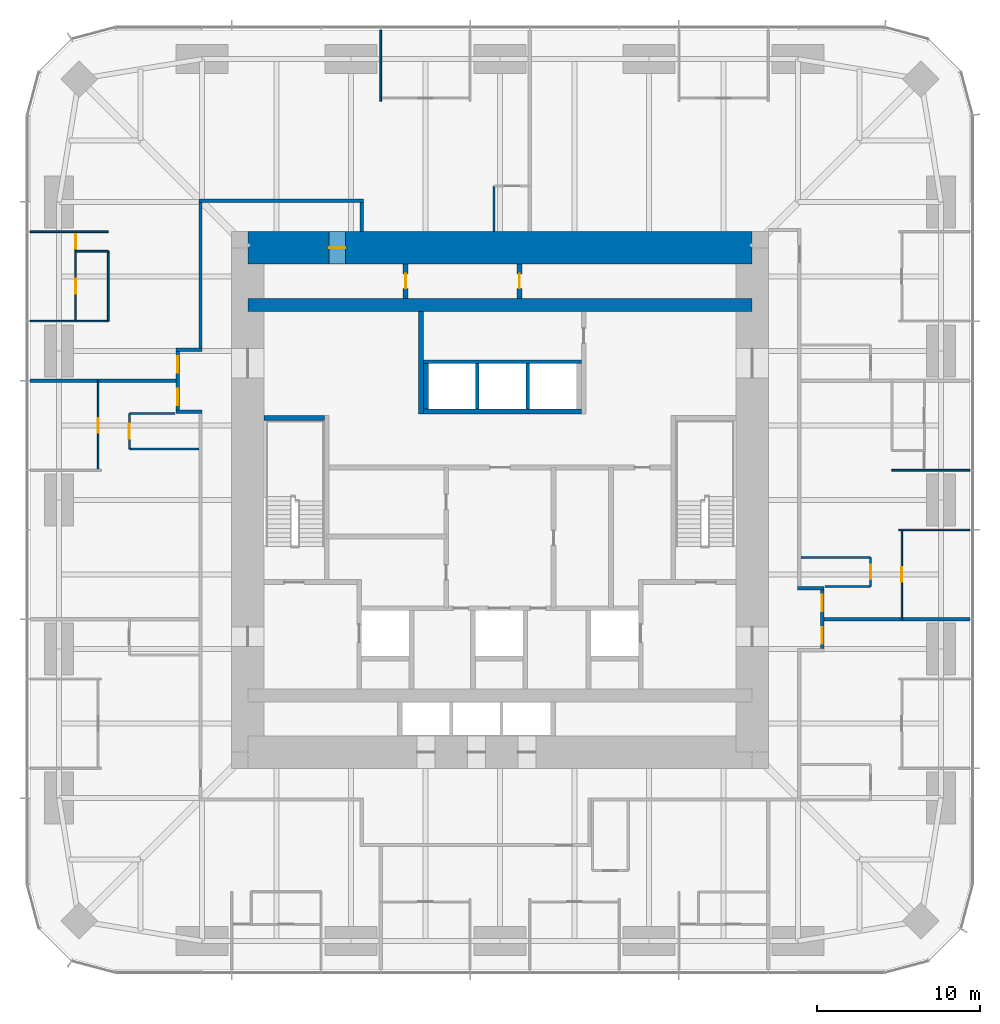
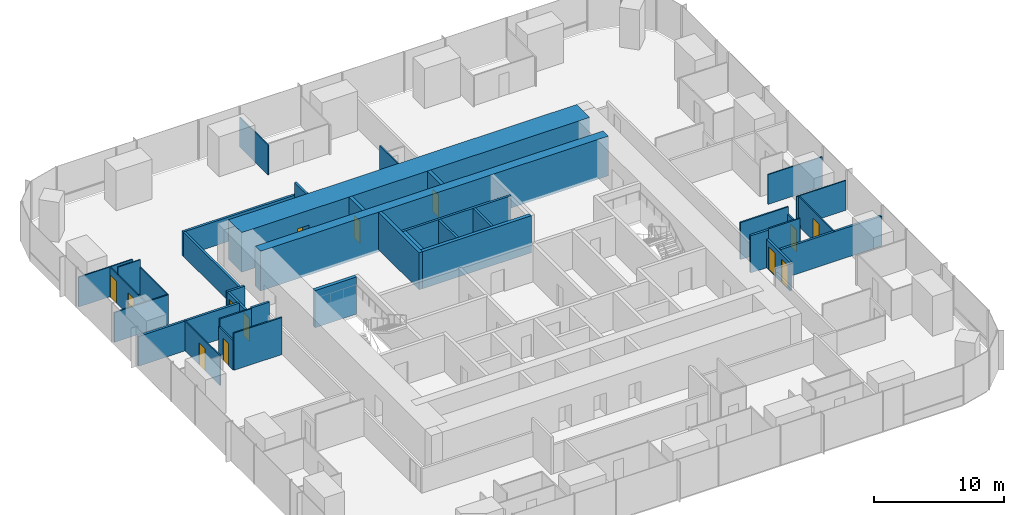
# One storey, part 11 of 13: 38 walls, 13 doors, 13 openings.
"""IFC4 building model written with IfcOpenShell, lengths in metres."""

from ifc_helpers import new_model, si_unit, direction, frame, frame_2d, origin, place, context, subcontext, project, spatial, rectangle, extrude, material, layer, layer_set, type_object, element, fill, save


model = new_model("IFC4")

# Units and contexts
model_context = context("Model", 3, precision=1e-05, world=origin(), true_north=direction((0.0, 1.0)))
body_context = subcontext(model_context, "Body", "Model", "MODEL_VIEW")
ifc_project = project(units=[si_unit("LENGTHUNIT", "METRE"), si_unit("AREAUNIT", "SQUARE_METRE"), si_unit("VOLUMEUNIT", "CUBIC_METRE"), si_unit("PLANEANGLEUNIT", "RADIAN"), si_unit("MASSUNIT", "GRAM", prefix="KILO")], contexts=[model_context])

# Site, building, storey
site_placement = place(None, origin())
site = spatial("IfcSite", under=ifc_project, at=site_placement, CompositionType="ELEMENT")
building_placement = place(site_placement, origin())
building = spatial("IfcBuilding", under=site, at=building_placement, Name="Khuree Lantern Residences", CompositionType="ELEMENT")
storey_placement = place(building_placement, frame((0.0, 0.0, 126.0)))
storey = spatial("IfcBuildingStorey", under=building, at=storey_placement, Name="L31", CompositionType="ELEMENT", Elevation=126.0)

# Wall, opening, door
ifc_material_1 = material(Name="Moisture-resistant gypsum board on steel studs", Category="steel")
ifc_layer_1 = layer(ifc_material_1, 0.125)
ifc_layer_set_1 = layer_set([ifc_layer_1], Name="BATHROOM WALL BTW125")
wall_type_1 = type_object("IfcWallType", Name="BATHROOM WALL BTW125", PredefinedType="PARTITIONING", material=ifc_layer_set_1)
wall_1_placement = place(storey_placement, frame((22.77978515625, -5.327880859375, 0.0), z_axis=(0.0, 0.0, 1.0), x_axis=(0.0, 1.0, 0.0)))
wall_1 = element("IfcWall", 1, at=wall_1_placement, inside=storey, type_object=wall_type_1, Name="L31 BATHROOM WALL 01", PredefinedType="PARTITIONING", context=body_context, shape_type="SweptSolid", body=[
    extrude(rectangle(XDim=1.7998046875, YDim=0.125, at=frame_2d((0.89990234375, 0.0))), origin(), (0.0, 0.0, 1.0), 2.81005859375),
])
opening_1_placement = place(wall_1_placement, frame((0.449951171875, 0.0, 0.0)))
opening_1 = element("IfcOpeningElement", 2, at=opening_1_placement, cuts=wall_1, Name="Opening 31-027", PredefinedType="OPENING", context=body_context, shape_type="SweptSolid", body=[
    extrude(rectangle(XDim=0.89990234375, YDim=2.10009765625, at=frame_2d((0.449951171875, 1.050048828125))), frame((0.0, 0.072509765625, 0.0), z_axis=(0.0, -1.0, 0.0), x_axis=(1.0, 0.0, 0.0)), (0.0, 0.0, 1.0), 0.14501953125),
])
ifc_material_2 = material(Name="Timber door leaf in hardwood frame", Category="wood")
door_type_1 = type_object("IfcDoorType", Name="BATHROOM DOOR 900X2100", OperationType="SINGLE_SWING_LEFT", PredefinedType="DOOR", material=ifc_material_2)
door_1_placement = place(opening_1_placement, origin())
door_1 = element("IfcDoor", 3, at=door_1_placement, inside=storey, type_object=door_type_1, Name="Bathroom door 31-027", OperationType="SINGLE_SWING_LEFT", OverallHeight=2.10009765625, OverallWidth=0.89990234375, PredefinedType="DOOR", context=body_context, shape_type="SweptSolid", body=[
    extrude(rectangle(XDim=0.89990234375, YDim=2.10009765625, at=frame_2d((0.449951171875, 1.050048828125))), frame((0.0, 0.02490234375, 0.0), z_axis=(0.0, -1.0, 0.0), x_axis=(1.0, 0.0, 0.0)), (0.0, 0.0, 1.0), 0.050048828125),
])
fill(opening_1, door_1)

# Walls
wall_2_placement = place(storey_placement, frame((19.969970703125, -5.327880859375, 0.0), z_axis=(0.0, 0.0, 1.0), x_axis=(1.0, 0.0, 0.0)))
element("IfcWall", 4, at=wall_2_placement, inside=storey, type_object=wall_type_1, Name="L31 BATHROOM WALL 01", PredefinedType="PARTITIONING", context=body_context, shape_type="SweptSolid", body=[
    extrude(rectangle(XDim=2.809814453125, YDim=0.125, at=frame_2d((1.40478515625, 0.0))), origin(), (0.0, 0.0, 1.0), 3.5),
])
wall_3_placement = place(storey_placement, frame((18.5, -3.528076171875, 0.0), z_axis=(0.0, 0.0, 1.0), x_axis=(1.0, 0.0, 0.0)))
element("IfcWall", 5, at=wall_3_placement, inside=storey, type_object=wall_type_1, Name="L31 BATHROOM WALL 01", PredefinedType="PARTITIONING", context=body_context, shape_type="SweptSolid", body=[
    extrude(rectangle(XDim=4.27978515625, YDim=0.125, at=frame_2d((2.139892578125, 0.0))), origin(), (0.0, 0.0, 1.0), 3.5),
])
wall_4_placement = place(storey_placement, frame((-0.367919921875, 16.5, 0.0), z_axis=(0.0, 0.0, 1.0), x_axis=(0.0, 1.0, 0.0)))
element("IfcWall", 6, at=wall_4_placement, inside=storey, type_object=wall_type_1, Name="L31 BATHROOM WALL 03", PredefinedType="PARTITIONING", context=body_context, shape_type="SweptSolid", body=[
    extrude(rectangle(XDim=2.800048828125, YDim=0.125, at=frame_2d((1.39990234375, 0.0))), origin(), (0.0, 0.0, 1.0), 3.5),
])

# Wall, opening, door
wall_5_placement = place(storey_placement, frame((-22.77978515625, 5.327880859375, 0.0), z_axis=(0.0, 0.0, 1.0), x_axis=(0.0, -1.0, 0.0)))
wall_5 = element("IfcWall", 7, at=wall_5_placement, inside=storey, type_object=wall_type_1, Name="L31 BATHROOM WALL 04", PredefinedType="PARTITIONING", context=body_context, shape_type="SweptSolid", body=[
    extrude(rectangle(XDim=2.199951171875, YDim=0.125, at=frame_2d((1.10009765625, 0.0))), origin(), (0.0, 0.0, 1.0), 2.81005859375),
])
opening_2_placement = place(wall_5_placement, frame((0.64990234375, 0.0, 0.0)))
opening_2 = element("IfcOpeningElement", 8, at=opening_2_placement, cuts=wall_5, Name="Opening 31-039", PredefinedType="OPENING", context=body_context, shape_type="SweptSolid", body=[
    extrude(rectangle(XDim=0.89990234375, YDim=2.10009765625, at=frame_2d((0.449951171875, 1.050048828125))), frame((0.0, 0.072509765625, 0.0), z_axis=(0.0, -1.0, 0.0), x_axis=(1.0, 0.0, 0.0)), (0.0, 0.0, 1.0), 0.14501953125),
])
door_2_placement = place(opening_2_placement, origin())
door_2 = element("IfcDoor", 9, at=door_2_placement, inside=storey, type_object=door_type_1, Name="Bathroom door 31-039", OperationType="SINGLE_SWING_LEFT", OverallHeight=2.10009765625, OverallWidth=0.89990234375, PredefinedType="DOOR", context=body_context, shape_type="SweptSolid", body=[
    extrude(rectangle(XDim=0.89990234375, YDim=2.10009765625, at=frame_2d((0.449951171875, 1.050048828125))), frame((0.0, 0.02490234375, 0.0), z_axis=(0.0, -1.0, 0.0), x_axis=(1.0, 0.0, 0.0)), (0.0, 0.0, 1.0), 0.050048828125),
])
fill(opening_2, door_2)

# Walls
wall_6_placement = place(storey_placement, frame((-19.969970703125, 5.327880859375, 0.0), z_axis=(0.0, 0.0, 1.0), x_axis=(-1.0, 0.0, 0.0)))
element("IfcWall", 10, at=wall_6_placement, inside=storey, type_object=wall_type_1, Name="L31 BATHROOM WALL 04", PredefinedType="PARTITIONING", context=body_context, shape_type="SweptSolid", body=[
    extrude(rectangle(XDim=2.809814453125, YDim=0.125, at=frame_2d((1.40478515625, 0.0))), origin(), (0.0, 0.0, 1.0), 3.5),
])
wall_7_placement = place(storey_placement, frame((-18.5, 3.1279296875, 0.0), z_axis=(0.0, 0.0, 1.0), x_axis=(-1.0, 0.0, 0.0)))
element("IfcWall", 11, at=wall_7_placement, inside=storey, type_object=wall_type_1, Name="L31 BATHROOM WALL 04", PredefinedType="PARTITIONING", context=body_context, shape_type="SweptSolid", body=[
    extrude(rectangle(XDim=4.27978515625, YDim=0.125, at=frame_2d((2.139892578125, 0.0))), origin(), (0.0, 0.0, 1.0), 3.5),
])
ifc_material_3 = material(Name="Dense concrete blockwork", Category="masonry")
ifc_layer_2 = layer(ifc_material_3, 0.300048828125)
ifc_layer_set_2 = layer_set([ifc_layer_2], Name="CORE PARTITION WALL CPW300 EI 120")
wall_type_2 = type_object("IfcWallType", Name="CORE PARTITION WALL CPW300 EI 120", PredefinedType="PARTITIONING", material=ifc_layer_set_2)
wall_8_placement = place(storey_placement, frame((-4.699951171875, 5.449951171875, 0.0), z_axis=(0.0, 0.0, 1.0), x_axis=(1.0, 0.0, 0.0)))
element("IfcWall", 12, at=wall_8_placement, inside=storey, type_object=wall_type_2, Name="L31 CORE WALL PHS", PredefinedType="PARTITIONING", context=body_context, shape_type="SweptSolid", body=[
    extrude(rectangle(XDim=9.699951171875, YDim=0.300048828125, at=frame_2d((4.85009765625, 0.0))), origin(), (0.0, 0.0, 1.0), 3.5),
])
wall_9_placement = place(storey_placement, frame((-4.550048828125, 5.60009765625, 0.0), z_axis=(0.0, 0.0, 1.0), x_axis=(0.0, 1.0, 0.0)))
element("IfcWall", 13, at=wall_9_placement, inside=storey, type_object=wall_type_2, Name="L31 CORE WALL PHW", PredefinedType="PARTITIONING", context=body_context, shape_type="SweptSolid", body=[
    extrude(rectangle(XDim=2.7998046875, YDim=0.300048828125, at=frame_2d((1.39990234375, 0.0))), origin(), (0.0, 0.0, 1.0), 3.5),
])
wall_10_placement = place(storey_placement, frame((-4.85009765625, 5.300048828125, 0.0), z_axis=(0.0, 0.0, 1.0), x_axis=(0.0, 1.0, 0.0)))
element("IfcWall", 14, at=wall_10_placement, inside=storey, type_object=wall_type_2, Name="L31 CORE WALL NW", PredefinedType="PARTITIONING", context=body_context, shape_type="SweptSolid", body=[
    extrude(rectangle(XDim=6.300048828125, YDim=0.300048828125, at=frame_2d((3.14990234375, 0.0))), origin(), (0.0, 0.0, 1.0), 3.5),
])

# Wall, opening, door
wall_11_placement = place(storey_placement, frame((-5.800048828125, 12.39990234375, 0.0), z_axis=(0.0, 0.0, 1.0), x_axis=(0.0, 1.0, 0.0)))
wall_11 = element("IfcWall", 15, at=wall_11_placement, inside=storey, type_object=wall_type_2, Name="L31 CORE WALL PLX", PredefinedType="PARTITIONING", context=body_context, shape_type="SweptSolid", body=[
    extrude(rectangle(XDim=2.10009765625, YDim=0.300048828125, at=frame_2d((1.050048828125, 0.0))), origin(), (0.0, 0.0, 1.0), 3.5),
])
opening_3_placement = place(wall_11_placement, frame((0.60009765625, 0.0, 0.0)))
opening_3 = element("IfcOpeningElement", 16, at=opening_3_placement, cuts=wall_11, Name="Opening 31-021", PredefinedType="OPENING", context=body_context, shape_type="SweptSolid", body=[
    extrude(rectangle(XDim=0.89990234375, YDim=2.10009765625, at=frame_2d((0.449951171875, 1.050048828125))), frame((0.0, 0.16015625, 0.0), z_axis=(0.0, -1.0, 0.0), x_axis=(1.0, 0.0, 0.0)), (0.0, 0.0, 1.0), 0.320068359375),
])
door_type_2 = type_object("IfcDoorType", Name="DOOR 900X2100", OperationType="SINGLE_SWING_LEFT", PredefinedType="DOOR", material=ifc_material_2)
door_3_placement = place(opening_3_placement, origin())
door_3 = element("IfcDoor", 17, at=door_3_placement, inside=storey, type_object=door_type_2, Name="Cleaner's store door 31-021", OperationType="SINGLE_SWING_LEFT", OverallHeight=2.10009765625, OverallWidth=0.89990234375, PredefinedType="DOOR", context=body_context, shape_type="SweptSolid", body=[
    extrude(rectangle(XDim=0.89990234375, YDim=2.10009765625, at=frame_2d((0.449951171875, 1.050048828125))), frame((0.0, 0.02490234375, 0.0), z_axis=(0.0, -1.0, 0.0), x_axis=(1.0, 0.0, 0.0)), (0.0, 0.0, 1.0), 0.050048828125),
])
fill(opening_3, door_3)

wall_12_placement = place(storey_placement, frame((1.199951171875, 12.39990234375, 0.0), z_axis=(0.0, 0.0, 1.0), x_axis=(0.0, 1.0, 0.0)))
wall_12 = element("IfcWall", 18, at=wall_12_placement, inside=storey, type_object=wall_type_2, Name="L31 CORE WALL PLY", PredefinedType="PARTITIONING", context=body_context, shape_type="SweptSolid", body=[
    extrude(rectangle(XDim=2.10009765625, YDim=0.300048828125, at=frame_2d((1.050048828125, 0.0))), origin(), (0.0, 0.0, 1.0), 3.5),
])
opening_4_placement = place(wall_12_placement, frame((0.60009765625, 0.0, 0.0)))
opening_4 = element("IfcOpeningElement", 19, at=opening_4_placement, cuts=wall_12, Name="Opening 31-022", PredefinedType="OPENING", context=body_context, shape_type="SweptSolid", body=[
    extrude(rectangle(XDim=0.89990234375, YDim=2.10009765625, at=frame_2d((0.449951171875, 1.050048828125))), frame((0.0, 0.16015625, 0.0), z_axis=(0.0, -1.0, 0.0), x_axis=(1.0, 0.0, 0.0)), (0.0, 0.0, 1.0), 0.320068359375),
])
door_4_placement = place(opening_4_placement, origin())
door_4 = element("IfcDoor", 20, at=door_4_placement, inside=storey, type_object=door_type_2, Name="Spares store door 31-022", OperationType="SINGLE_SWING_LEFT", OverallHeight=2.10009765625, OverallWidth=0.89990234375, PredefinedType="DOOR", context=body_context, shape_type="SweptSolid", body=[
    extrude(rectangle(XDim=0.89990234375, YDim=2.10009765625, at=frame_2d((0.449951171875, 1.050048828125))), frame((0.0, 0.02490234375, 0.0), z_axis=(0.0, -1.0, 0.0), x_axis=(1.0, 0.0, 0.0)), (0.0, 0.0, 1.0), 0.050048828125),
])
fill(opening_4, door_4)

# Walls
ifc_material_4 = material(Name="Gypsum board on steel studs", Category="steel")
ifc_layer_3 = layer(ifc_material_4, 0.199951171875)
ifc_layer_set_3 = layer_set([ifc_layer_3], Name="CORRIDOR WALL CRW200 EI 60")
wall_type_3 = type_object("IfcWallType", Name="CORRIDOR WALL CRW200 EI 60", PredefinedType="PARTITIONING", material=ifc_layer_set_3)
wall_13_placement = place(storey_placement, frame((-18.5, 18.39990234375, 0.0), z_axis=(0.0, 0.0, 1.0), x_axis=(1.0, 0.0, 0.0)))
element("IfcWall", 21, at=wall_13_placement, inside=storey, type_object=wall_type_3, Name="L31 CORRIDOR WALL NORTH", PredefinedType="PARTITIONING", context=body_context, shape_type="SweptSolid", body=[
    extrude(rectangle(XDim=10.10009765625, YDim=0.199951171875, at=frame_2d((5.050048828125, 0.0))), origin(), (0.0, 0.0, 1.0), 2.300048828125),
])
wall_14_placement = place(storey_placement, frame((-8.5, 18.300048828125, 0.0), z_axis=(0.0, 0.0, 1.0), x_axis=(0.0, -1.0, 0.0)))
element("IfcWall", 22, at=wall_14_placement, inside=storey, type_object=wall_type_3, Name="L31 NORTH CORRIDOR END WALL", PredefinedType="PARTITIONING", context=body_context, shape_type="SweptSolid", body=[
    extrude(rectangle(XDim=1.800048828125, YDim=0.199951171875, at=frame_2d((0.89990234375, 0.0))), origin(), (0.0, 0.0, 1.0), 3.5),
])
wall_15_placement = place(storey_placement, frame((18.300048828125, -5.427978515625, 0.0), z_axis=(0.0, 0.0, 1.0), x_axis=(1.0, 0.0, 0.0)))
element("IfcWall", 23, at=wall_15_placement, inside=storey, type_object=wall_type_3, Name="L31 CORRIDOR ALCOVE WALL EAST", PredefinedType="PARTITIONING", context=body_context, shape_type="SweptSolid", body=[
    extrude(rectangle(XDim=1.599853515625, YDim=0.199951171875, at=frame_2d((0.7998046875, 0.0))), origin(), (0.0, 0.0, 1.0), 3.5),
])

# Wall, openings, doors
wall_16_placement = place(storey_placement, frame((19.800048828125, -9.1279296875, 0.0), z_axis=(0.0, 0.0, 1.0), x_axis=(0.0, 1.0, 0.0)))
wall_16 = element("IfcWall", 24, at=wall_16_placement, inside=storey, type_object=wall_type_3, Name="L31 CORRIDOR ALCOVE WALL EAST", PredefinedType="PARTITIONING", context=body_context, shape_type="SweptSolid", body=[
    extrude(rectangle(XDim=3.599853515625, YDim=0.199951171875, at=frame_2d((1.7998046875, 0.0))), origin(), (0.0, 0.0, 1.0), 2.699951171875),
])
opening_5_placement = place(wall_16_placement, frame((2.300048828125, 0.0, 0.0)))
opening_5 = element("IfcOpeningElement", 25, at=opening_5_placement, cuts=wall_16, Name="Opening 31-028", PredefinedType="OPENING", context=body_context, shape_type="SweptSolid", body=[
    extrude(rectangle(XDim=1.0, YDim=2.199951171875, at=frame_2d((0.5, 1.10009765625))), frame((0.0, 0.10986328125, 0.0), z_axis=(0.0, -1.0, 0.0), x_axis=(1.0, 0.0, 0.0)), (0.0, 0.0, 1.0), 0.219970703125),
])
opening_6_placement = place(wall_16_placement, frame((0.300048828125, 0.0, 0.0)))
opening_6 = element("IfcOpeningElement", 26, at=opening_6_placement, cuts=wall_16, Name="Opening 31-054", PredefinedType="OPENING", context=body_context, shape_type="SweptSolid", body=[
    extrude(rectangle(XDim=1.0, YDim=2.199951171875, at=frame_2d((0.5, 1.10009765625))), frame((0.0, 0.10986328125, 0.0), z_axis=(0.0, -1.0, 0.0), x_axis=(1.0, 0.0, 0.0)), (0.0, 0.0, 1.0), 0.219970703125),
])
door_type_3 = type_object("IfcDoorType", Name="APARTMENT ENTRANCE DOOR 1000X2200 EI 30S", OperationType="SINGLE_SWING_LEFT", PredefinedType="DOOR", material=ifc_material_2)
door_5_placement = place(opening_6_placement, origin())
door_5 = element("IfcDoor", 27, at=door_5_placement, inside=storey, type_object=door_type_3, Name="Apartment 07 entrance door 31-054", OperationType="SINGLE_SWING_LEFT", OverallHeight=2.199951171875, OverallWidth=1.0, PredefinedType="DOOR", context=body_context, shape_type="SweptSolid", body=[
    extrude(rectangle(XDim=1.0, YDim=2.199951171875, at=frame_2d((0.5, 1.10009765625))), frame((0.0, 0.02490234375, 0.0), z_axis=(0.0, -1.0, 0.0), x_axis=(1.0, 0.0, 0.0)), (0.0, 0.0, 1.0), 0.050048828125),
])
fill(opening_6, door_5)
door_type_4 = type_object("IfcDoorType", Name="APARTMENT ENTRANCE DOOR 1000X2200 EI 30S RIGHT HAND", OperationType="SINGLE_SWING_RIGHT", PredefinedType="DOOR", material=ifc_material_2)
door_6_placement = place(opening_5_placement, origin())
door_6 = element("IfcDoor", 28, at=door_6_placement, inside=storey, type_object=door_type_4, Name="Apartment 01 entrance door 31-028", OperationType="SINGLE_SWING_RIGHT", OverallHeight=2.199951171875, OverallWidth=1.0, PredefinedType="DOOR", context=body_context, shape_type="SweptSolid", body=[
    extrude(rectangle(XDim=1.0, YDim=2.199951171875, at=frame_2d((0.5, 1.10009765625))), frame((0.0, 0.02490234375, 0.0), z_axis=(0.0, -1.0, 0.0), x_axis=(1.0, 0.0, 0.0)), (0.0, 0.0, 1.0), 0.050048828125),
])
fill(opening_5, door_6)

# Walls
wall_17_placement = place(storey_placement, frame((-18.39990234375, 18.300048828125, 0.0), z_axis=(0.0, 0.0, 1.0), x_axis=(0.0, -1.0, 0.0)))
element("IfcWall", 29, at=wall_17_placement, inside=storey, type_object=wall_type_3, Name="L31 CORRIDOR WALL WEST 1", PredefinedType="PARTITIONING", context=body_context, shape_type="SweptSolid", body=[
    extrude(rectangle(XDim=8.97216796875, YDim=0.199951171875, at=frame_2d((4.486083984375, 0.0))), origin(), (0.0, 0.0, 1.0), 2.300048828125),
])
wall_18_placement = place(storey_placement, frame((-18.300048828125, 9.22802734375, 0.0), z_axis=(0.0, 0.0, 1.0), x_axis=(-1.0, 0.0, 0.0)))
element("IfcWall", 30, at=wall_18_placement, inside=storey, type_object=wall_type_3, Name="L31 CORRIDOR ALCOVE WALL WEST", PredefinedType="PARTITIONING", context=body_context, shape_type="SweptSolid", body=[
    extrude(rectangle(XDim=1.599853515625, YDim=0.199951171875, at=frame_2d((0.7998046875, 0.0))), origin(), (0.0, 0.0, 1.0), 2.699951171875),
])
wall_19_placement = place(storey_placement, frame((-18.300048828125, 5.427978515625, 0.0), z_axis=(0.0, 0.0, 1.0), x_axis=(-1.0, 0.0, 0.0)))
element("IfcWall", 31, at=wall_19_placement, inside=storey, type_object=wall_type_3, Name="L31 CORRIDOR ALCOVE WALL WEST", PredefinedType="PARTITIONING", context=body_context, shape_type="SweptSolid", body=[
    extrude(rectangle(XDim=1.599853515625, YDim=0.199951171875, at=frame_2d((0.7998046875, 0.0))), origin(), (0.0, 0.0, 1.0), 3.5),
])

# Wall, openings, doors
wall_20_placement = place(storey_placement, frame((-19.800048828125, 9.1279296875, 0.0), z_axis=(0.0, 0.0, 1.0), x_axis=(0.0, -1.0, 0.0)))
wall_20 = element("IfcWall", 32, at=wall_20_placement, inside=storey, type_object=wall_type_3, Name="L31 CORRIDOR ALCOVE WALL WEST", PredefinedType="PARTITIONING", context=body_context, shape_type="SweptSolid", body=[
    extrude(rectangle(XDim=3.599853515625, YDim=0.199951171875, at=frame_2d((1.7998046875, 0.0))), origin(), (0.0, 0.0, 1.0), 2.699951171875),
])
opening_7_placement = place(wall_20_placement, frame((0.300048828125, 0.0, 0.0)))
opening_7 = element("IfcOpeningElement", 33, at=opening_7_placement, cuts=wall_20, Name="Opening 31-037", PredefinedType="OPENING", context=body_context, shape_type="SweptSolid", body=[
    extrude(rectangle(XDim=1.0, YDim=2.199951171875, at=frame_2d((0.5, 1.10009765625))), frame((0.0, 0.10986328125, 0.0), z_axis=(0.0, -1.0, 0.0), x_axis=(1.0, 0.0, 0.0)), (0.0, 0.0, 1.0), 0.219970703125),
])
opening_8_placement = place(wall_20_placement, frame((2.300048828125, 0.0, 0.0)))
opening_8 = element("IfcOpeningElement", 34, at=opening_8_placement, cuts=wall_20, Name="Opening 31-040", PredefinedType="OPENING", context=body_context, shape_type="SweptSolid", body=[
    extrude(rectangle(XDim=1.0, YDim=2.199951171875, at=frame_2d((0.5, 1.10009765625))), frame((0.0, 0.10986328125, 0.0), z_axis=(0.0, -1.0, 0.0), x_axis=(1.0, 0.0, 0.0)), (0.0, 0.0, 1.0), 0.219970703125),
])
door_7_placement = place(opening_7_placement, origin())
door_7 = element("IfcDoor", 35, at=door_7_placement, inside=storey, type_object=door_type_3, Name="Apartment 03 entrance door 31-037", OperationType="SINGLE_SWING_LEFT", OverallHeight=2.199951171875, OverallWidth=1.0, PredefinedType="DOOR", context=body_context, shape_type="SweptSolid", body=[
    extrude(rectangle(XDim=1.0, YDim=2.199951171875, at=frame_2d((0.5, 1.10009765625))), frame((0.0, 0.02490234375, 0.0), z_axis=(0.0, -1.0, 0.0), x_axis=(1.0, 0.0, 0.0)), (0.0, 0.0, 1.0), 0.050048828125),
])
fill(opening_7, door_7)
door_8_placement = place(opening_8_placement, origin())
door_8 = element("IfcDoor", 36, at=door_8_placement, inside=storey, type_object=door_type_4, Name="Apartment 04 entrance door 31-040", OperationType="SINGLE_SWING_RIGHT", OverallHeight=2.199951171875, OverallWidth=1.0, PredefinedType="DOOR", context=body_context, shape_type="SweptSolid", body=[
    extrude(rectangle(XDim=1.0, YDim=2.199951171875, at=frame_2d((0.5, 1.10009765625))), frame((0.0, 0.02490234375, 0.0), z_axis=(0.0, -1.0, 0.0), x_axis=(1.0, 0.0, 0.0)), (0.0, 0.0, 1.0), 0.050048828125),
])
fill(opening_8, door_8)

# Wall, opening, door
ifc_material_5 = material(Name="Concrete C70/85", Category="concrete")
ifc_layer_4 = layer(ifc_material_5, 2.0)
ifc_layer_set_4 = layer_set([ifc_layer_4], Name="CW2000-C70 CORE WALL C70 2000")
wall_type_4 = type_object("IfcWallType", Name="CW2000-C70 CORE WALL C70 2000", PredefinedType="SHEAR", material=ifc_layer_set_4)
wall_21_placement = place(storey_placement, frame((-15.5, 15.5, -0.25), z_axis=(0.0, 0.0, 1.0), x_axis=(1.0, 0.0, 0.0)))
wall_21 = element("IfcWall", 37, at=wall_21_placement, inside=storey, type_object=wall_type_4, Name="Core wall N", PredefinedType="SHEAR", context=body_context, shape_type="SweptSolid", body=[
    extrude(rectangle(XDim=31.0, YDim=2.0, at=frame_2d((15.5, 0.0))), origin(), (0.0, 0.0, 1.0), 3.75),
])
opening_9_placement = place(wall_21_placement, frame((5.0, 0.0, 0.25)))
opening_9 = element("IfcOpeningElement", 38, at=opening_9_placement, cuts=wall_21, Name="Opening 31-023", PredefinedType="OPENING", context=body_context, shape_type="SweptSolid", body=[
    extrude(rectangle(XDim=1.0, YDim=2.10009765625, at=frame_2d((0.5, 1.050048828125))), frame((0.0, 1.010009765625, 0.0), z_axis=(0.0, -1.0, 0.0), x_axis=(1.0, 0.0, 0.0)), (0.0, 0.0, 1.0), 2.02001953125),
])
ifc_material_6 = material(Name="Steel door leaf in steel frame", Category="steel")
door_type_5 = type_object("IfcDoorType", Name="DOOR 1000X2100 EI 60 RIGHT HAND", OperationType="SINGLE_SWING_RIGHT", PredefinedType="DOOR", material=ifc_material_6)
door_9_placement = place(opening_9_placement, origin())
door_9 = element("IfcDoor", 39, at=door_9_placement, inside=storey, type_object=door_type_5, Name="Residents' store door 31-023", OperationType="SINGLE_SWING_RIGHT", OverallHeight=2.10009765625, OverallWidth=1.0, PredefinedType="DOOR", context=body_context, shape_type="SweptSolid", body=[
    extrude(rectangle(XDim=1.0, YDim=2.10009765625, at=frame_2d((0.5, 1.050048828125))), frame((0.0, 0.02490234375, 0.0), z_axis=(0.0, -1.0, 0.0), x_axis=(1.0, 0.0, 0.0)), (0.0, 0.0, 1.0), 0.050048828125),
])
fill(opening_9, door_9)

# Walls
ifc_layer_5 = layer(ifc_material_4, 0.199951171875)
ifc_layer_set_5 = layer_set([ifc_layer_5], Name="DEMISING WALL DMW200 EI 90")
wall_type_5 = type_object("IfcWallType", Name="DEMISING WALL DMW200 EI 90", PredefinedType="PARTITIONING", material=ifc_layer_set_5)
for number, where, z_axis, x_axis, name in (
    (40, (19.89990234375, -7.327880859375, 0.0), (0.0, 0.0, 1.0), (1.0, 0.0, 0.0), "L31 DEMISING WALL 01"),
    (41, (-19.89990234375, 7.327880859375, 0.0), (0.0, 0.0, 1.0), (-1.0, 0.0, 0.0), "L31 DEMISING WALL 04"),
):
    element("IfcWall", number, at=place(storey_placement, frame(where, z_axis=z_axis, x_axis=x_axis)), inside=storey, type_object=wall_type_5, Name=name, PredefinedType="PARTITIONING", context=body_context, shape_type="SweptSolid", body=[
        extrude(rectangle(XDim=9.0, YDim=0.199951171875, at=frame_2d((4.5, 0.0))), origin(), (0.0, 0.0, 1.0), 2.81005859375),
    ])
ifc_layer_6 = layer(ifc_material_4, 0.10009765625)
ifc_layer_set_6 = layer_set([ifc_layer_6], Name="PARTITION PT100")
wall_type_6 = type_object("IfcWallType", Name="PARTITION PT100", PredefinedType="PARTITIONING", material=ifc_layer_set_6)
wall_22_placement = place(storey_placement, frame((24.5, -1.83203125, 0.0), z_axis=(0.0, 0.0, 1.0), x_axis=(1.0, 0.0, 0.0)))
element("IfcWall", 42, at=wall_22_placement, inside=storey, type_object=wall_type_6, Name="L31 PARTITION 01", PredefinedType="PARTITIONING", context=body_context, shape_type="SweptSolid", body=[
    extrude(rectangle(XDim=4.39990234375, YDim=0.10009765625, at=frame_2d((2.199951171875, 0.0))), origin(), (0.0, 0.0, 1.0), 2.81005859375),
])
wall_23_placement = place(storey_placement, frame((24.079833984375, 1.83203125, 0.0), z_axis=(0.0, 0.0, 1.0), x_axis=(1.0, 0.0, 0.0)))
element("IfcWall", 43, at=wall_23_placement, inside=storey, type_object=wall_type_6, Name="L31 PARTITION 01", PredefinedType="PARTITIONING", context=body_context, shape_type="SweptSolid", body=[
    extrude(rectangle(XDim=4.820068359375, YDim=0.10009765625, at=frame_2d((2.41015625, 0.0))), origin(), (0.0, 0.0, 1.0), 2.81005859375),
])
wall_24_placement = place(storey_placement, frame((-7.327880859375, 24.5, 0.0), z_axis=(0.0, 0.0, 1.0), x_axis=(0.0, 1.0, 0.0)))
element("IfcWall", 44, at=wall_24_placement, inside=storey, type_object=wall_type_6, Name="L31 PARTITION 03", PredefinedType="PARTITIONING", context=body_context, shape_type="SweptSolid", body=[
    extrude(rectangle(XDim=4.39990234375, YDim=0.10009765625, at=frame_2d((2.199951171875, 0.0))), origin(), (0.0, 0.0, 1.0), 2.81005859375),
])
for number, where, z_axis, x_axis, name in (
    (45, (-24.079833984375, 16.488037109375, 0.0), (0.0, 0.0, 1.0), (-1.0, 0.0, 0.0), "L31 PARTITION 03"),
    (46, (-24.079833984375, 10.991943359375, 0.0), (0.0, 0.0, 1.0), (-1.0, 0.0, 0.0), "L31 PARTITION 03"),
):
    element("IfcWall", number, at=place(storey_placement, frame(where, z_axis=z_axis, x_axis=x_axis)), inside=storey, type_object=wall_type_6, Name=name, PredefinedType="PARTITIONING", context=body_context, shape_type="SweptSolid", body=[
        extrude(rectangle(XDim=4.820068359375, YDim=0.10009765625, at=frame_2d((2.41015625, 0.0))), origin(), (0.0, 0.0, 1.0), 2.81005859375),
    ])

# Wall, opening, door
wall_25_placement = place(storey_placement, frame((24.699951171875, -7.327880859375, 0.0), z_axis=(0.0, 0.0, 1.0), x_axis=(0.0, 1.0, 0.0)))
wall_25 = element("IfcWall", 47, at=wall_25_placement, inside=storey, type_object=wall_type_6, Name="L31 PARTITION 01", PredefinedType="PARTITIONING", context=body_context, shape_type="SweptSolid", body=[
    extrude(rectangle(XDim=5.495849609375, YDim=0.10009765625, at=frame_2d((2.748046875, 0.0))), origin(), (0.0, 0.0, 1.0), 2.81005859375),
])
opening_10_placement = place(wall_25_placement, frame((2.298095703125, 0.0, 0.0)))
opening_10 = element("IfcOpeningElement", 48, at=opening_10_placement, cuts=wall_25, Name="Opening 31-024", PredefinedType="OPENING", context=body_context, shape_type="SweptSolid", body=[
    extrude(rectangle(XDim=0.89990234375, YDim=2.10009765625, at=frame_2d((0.449951171875, 1.050048828125))), frame((0.0, 0.06005859375, 0.0), z_axis=(0.0, -1.0, 0.0), x_axis=(1.0, 0.0, 0.0)), (0.0, 0.0, 1.0), 0.1201171875),
])
door_type_6 = type_object("IfcDoorType", Name="BEDROOM DOOR 900X2100", OperationType="SINGLE_SWING_LEFT", PredefinedType="DOOR", material=ifc_material_2)
door_10_placement = place(opening_10_placement, origin())
door_10 = element("IfcDoor", 49, at=door_10_placement, inside=storey, type_object=door_type_6, Name="Bedroom door 31-024", OperationType="SINGLE_SWING_LEFT", OverallHeight=2.10009765625, OverallWidth=0.89990234375, PredefinedType="DOOR", context=body_context, shape_type="SweptSolid", body=[
    extrude(rectangle(XDim=0.89990234375, YDim=2.10009765625, at=frame_2d((0.449951171875, 1.050048828125))), frame((0.0, 0.02490234375, 0.0), z_axis=(0.0, -1.0, 0.0), x_axis=(1.0, 0.0, 0.0)), (0.0, 0.0, 1.0), 0.050048828125),
])
fill(opening_10, door_10)

# Wall, openings, doors
wall_26_placement = place(storey_placement, frame((-26.079833984375, 16.488037109375, 0.0), z_axis=(0.0, 0.0, 1.0), x_axis=(0.0, -1.0, 0.0)))
wall_26 = element("IfcWall", 50, at=wall_26_placement, inside=storey, type_object=wall_type_6, Name="L31 PARTITION 03", PredefinedType="PARTITIONING", context=body_context, shape_type="SweptSolid", body=[
    extrude(rectangle(XDim=5.49609375, YDim=0.10009765625, at=frame_2d((2.748046875, 0.0))), origin(), (0.0, 0.0, 1.0), 2.81005859375),
])
opening_11_placement = place(wall_26_placement, frame((0.14990234375, 0.0, 0.0)))
opening_11 = element("IfcOpeningElement", 51, at=opening_11_placement, cuts=wall_26, Name="Opening 31-034", PredefinedType="OPENING", context=body_context, shape_type="SweptSolid", body=[
    extrude(rectangle(XDim=0.89990234375, YDim=2.10009765625, at=frame_2d((0.449951171875, 1.050048828125))), frame((0.0, 0.06005859375, 0.0), z_axis=(0.0, -1.0, 0.0), x_axis=(1.0, 0.0, 0.0)), (0.0, 0.0, 1.0), 0.1201171875),
])
opening_12_placement = place(wall_26_placement, frame((2.89794921875, 0.0, 0.0)))
opening_12 = element("IfcOpeningElement", 52, at=opening_12_placement, cuts=wall_26, Name="Opening 31-035", PredefinedType="OPENING", context=body_context, shape_type="SweptSolid", body=[
    extrude(rectangle(XDim=0.89990234375, YDim=2.10009765625, at=frame_2d((0.449951171875, 1.050048828125))), frame((0.0, 0.06005859375, 0.0), z_axis=(0.0, -1.0, 0.0), x_axis=(1.0, 0.0, 0.0)), (0.0, 0.0, 1.0), 0.1201171875),
])
door_11_placement = place(opening_11_placement, origin())
door_11 = element("IfcDoor", 53, at=door_11_placement, inside=storey, type_object=door_type_6, Name="Bedroom door 31-034", OperationType="SINGLE_SWING_LEFT", OverallHeight=2.10009765625, OverallWidth=0.89990234375, PredefinedType="DOOR", context=body_context, shape_type="SweptSolid", body=[
    extrude(rectangle(XDim=0.89990234375, YDim=2.10009765625, at=frame_2d((0.449951171875, 1.050048828125))), frame((0.0, 0.02490234375, 0.0), z_axis=(0.0, -1.0, 0.0), x_axis=(1.0, 0.0, 0.0)), (0.0, 0.0, 1.0), 0.050048828125),
])
fill(opening_11, door_11)
door_12_placement = place(opening_12_placement, origin())
door_12 = element("IfcDoor", 54, at=door_12_placement, inside=storey, type_object=door_type_2, Name="Wardrobe door 31-035", OperationType="SINGLE_SWING_LEFT", OverallHeight=2.10009765625, OverallWidth=0.89990234375, PredefinedType="DOOR", context=body_context, shape_type="SweptSolid", body=[
    extrude(rectangle(XDim=0.89990234375, YDim=2.10009765625, at=frame_2d((0.449951171875, 1.050048828125))), frame((0.0, 0.02490234375, 0.0), z_axis=(0.0, -1.0, 0.0), x_axis=(1.0, 0.0, 0.0)), (0.0, 0.0, 1.0), 0.050048828125),
])
fill(opening_12, door_12)

# Walls
wall_27_placement = place(storey_placement, frame((-24.079833984375, 15.2880859375, 0.0), z_axis=(0.0, 0.0, 1.0), x_axis=(-1.0, 0.0, 0.0)))
element("IfcWall", 55, at=wall_27_placement, inside=storey, type_object=wall_type_6, Name="L31 PARTITION 03", PredefinedType="PARTITIONING", context=body_context, shape_type="SweptSolid", body=[
    extrude(rectangle(XDim=2.0, YDim=0.10009765625, at=frame_2d((1.0, 0.0))), origin(), (0.0, 0.0, 1.0), 3.5),
])
wall_28_placement = place(storey_placement, frame((-24.079833984375, 15.2880859375, 0.0), z_axis=(0.0, 0.0, 1.0), x_axis=(0.0, -1.0, 0.0)))
element("IfcWall", 56, at=wall_28_placement, inside=storey, type_object=wall_type_6, Name="L31 PARTITION 03", PredefinedType="PARTITIONING", context=body_context, shape_type="SweptSolid", body=[
    extrude(rectangle(XDim=4.296142578125, YDim=0.10009765625, at=frame_2d((2.14794921875, 0.0))), origin(), (0.0, 0.0, 1.0), 2.81005859375),
])

# Wall, opening, door
wall_29_placement = place(storey_placement, frame((-24.699951171875, 7.327880859375, 0.0), z_axis=(0.0, 0.0, 1.0), x_axis=(0.0, -1.0, 0.0)))
wall_29 = element("IfcWall", 57, at=wall_29_placement, inside=storey, type_object=wall_type_6, Name="L31 PARTITION 04", PredefinedType="PARTITIONING", context=body_context, shape_type="SweptSolid", body=[
    extrude(rectangle(XDim=5.495849609375, YDim=0.10009765625, at=frame_2d((2.748046875, 0.0))), origin(), (0.0, 0.0, 1.0), 2.81005859375),
])
opening_13_placement = place(wall_29_placement, frame((2.298095703125, 0.0, 0.0)))
opening_13 = element("IfcOpeningElement", 58, at=opening_13_placement, cuts=wall_29, Name="Opening 31-038", PredefinedType="OPENING", context=body_context, shape_type="SweptSolid", body=[
    extrude(rectangle(XDim=0.89990234375, YDim=2.10009765625, at=frame_2d((0.449951171875, 1.050048828125))), frame((0.0, 0.06005859375, 0.0), z_axis=(0.0, -1.0, 0.0), x_axis=(1.0, 0.0, 0.0)), (0.0, 0.0, 1.0), 0.1201171875),
])
door_13_placement = place(opening_13_placement, origin())
door_13 = element("IfcDoor", 59, at=door_13_placement, inside=storey, type_object=door_type_6, Name="Bedroom door 31-038", OperationType="SINGLE_SWING_LEFT", OverallHeight=2.10009765625, OverallWidth=0.89990234375, PredefinedType="DOOR", context=body_context, shape_type="SweptSolid", body=[
    extrude(rectangle(XDim=0.89990234375, YDim=2.10009765625, at=frame_2d((0.449951171875, 1.050048828125))), frame((0.0, 0.02490234375, 0.0), z_axis=(0.0, -1.0, 0.0), x_axis=(1.0, 0.0, 0.0)), (0.0, 0.0, 1.0), 0.050048828125),
])
fill(opening_13, door_13)

# Walls
ifc_layer_7 = layer(ifc_material_3, 0.199951171875)
ifc_layer_set_7 = layer_set([ifc_layer_7], Name="SHAFT WALL SHW200 EI 120")
wall_type_7 = type_object("IfcWallType", Name="SHAFT WALL SHW200 EI 120", PredefinedType="PARTITIONING", material=ifc_layer_set_7)
wall_30_placement = place(storey_placement, frame((-4.699951171875, 8.5, 0.0), z_axis=(0.0, 0.0, 1.0), x_axis=(1.0, 0.0, 0.0)))
element("IfcWall", 60, at=wall_30_placement, inside=storey, type_object=wall_type_7, Name="L31 CORE WALL PHN", PredefinedType="PARTITIONING", context=body_context, shape_type="SweptSolid", body=[
    extrude(rectangle(XDim=9.699951171875, YDim=0.199951171875, at=frame_2d((4.85009765625, 0.0))), origin(), (0.0, 0.0, 1.0), 3.5),
])
for number, where, z_axis, x_axis, name in (
    (61, (-1.39990234375, 5.60009765625, 0.0), (0.0, 0.0, 1.0), (0.0, 1.0, 0.0), "L31 CORE WALL PHD1"),
    (62, (1.699951171875, 5.60009765625, 0.0), (0.0, 0.0, 1.0), (0.0, 1.0, 0.0), "L31 CORE WALL PHD2"),
):
    element("IfcWall", number, at=place(storey_placement, frame(where, z_axis=z_axis, x_axis=x_axis)), inside=storey, type_object=wall_type_7, Name=name, PredefinedType="PARTITIONING", context=body_context, shape_type="SweptSolid", body=[
        extrude(rectangle(XDim=2.7998046875, YDim=0.199951171875, at=frame_2d((1.39990234375, 0.0))), origin(), (0.0, 0.0, 1.0), 3.5),
    ])
ifc_layer_8 = layer(ifc_material_5, 0.800048828125)
ifc_layer_set_8 = layer_set([ifc_layer_8], Name="SP800-C70 CORE SPINE WALL C70 800")
wall_type_8 = type_object("IfcWallType", Name="SP800-C70 CORE SPINE WALL C70 800", PredefinedType="SHEAR", material=ifc_layer_set_8)
wall_31_placement = place(storey_placement, frame((-15.5, 12.0, -0.25), z_axis=(0.0, 0.0, 1.0), x_axis=(1.0, 0.0, 0.0)))
element("IfcWall", 63, at=wall_31_placement, inside=storey, type_object=wall_type_8, Name="Core wall SPN", PredefinedType="SHEAR", context=body_context, shape_type="SweptSolid", body=[
    extrude(rectangle(XDim=31.0, YDim=0.800048828125, at=frame_2d((15.5, 0.0))), origin(), (0.0, 0.0, 1.0), 3.75),
])
ifc_material_7 = material(Name="Concrete C50/60", Category="concrete")
ifc_layer_9 = layer(ifc_material_7, 0.300048828125)
ifc_layer_set_9 = layer_set([ifc_layer_9], Name="STAIR WALL SRW300 C50/60 REI 240")
wall_type_9 = type_object("IfcWallType", Name="STAIR WALL SRW300 C50/60 REI 240", PredefinedType="SOLIDWALL", material=ifc_layer_set_9)
wall_32_placement = place(storey_placement, frame((-14.5, 5.050048828125, 0.0), z_axis=(0.0, 0.0, 1.0), x_axis=(1.0, 0.0, 0.0)))
element("IfcWall", 64, at=wall_32_placement, inside=storey, type_object=wall_type_9, Name="L31 STAIR WALL ST1N", PredefinedType="SOLIDWALL", context=body_context, shape_type="SweptSolid", body=[
    extrude(rectangle(XDim=3.699951171875, YDim=0.300048828125, at=frame_2d((1.85009765625, 0.0))), origin(), (0.0, 0.0, 1.0), 3.5),
])

save(model, "model.ifc")
